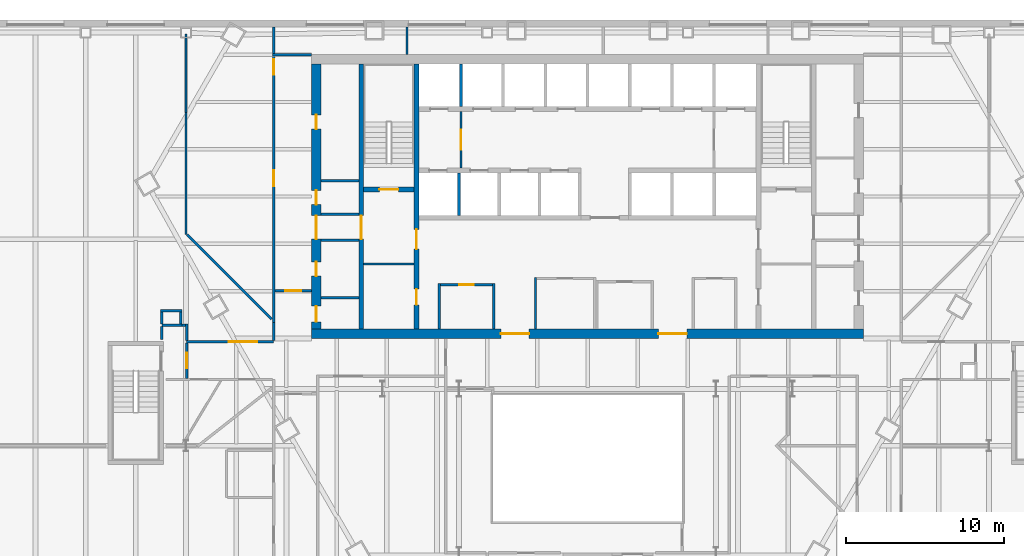
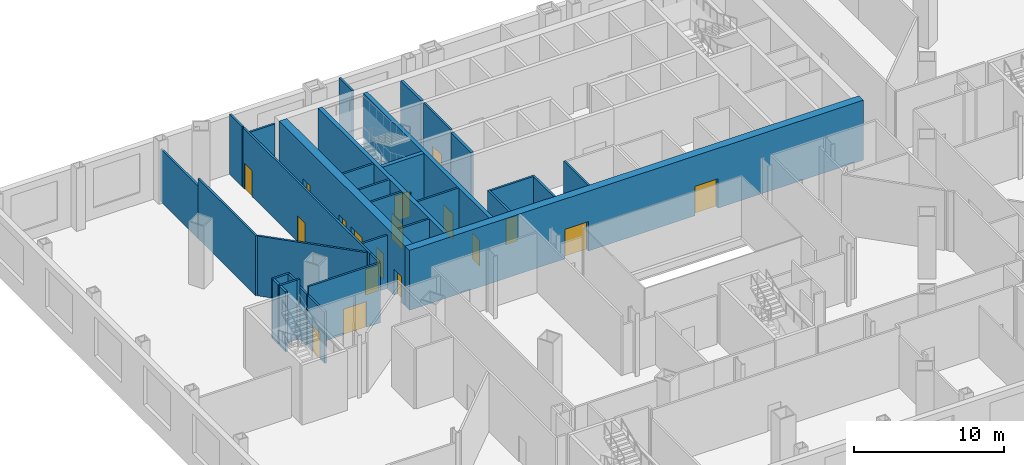
# One storey, part 12 of 21: 35 walls, 18 doors, 18 openings.
"""IFC4 building model written with IfcOpenShell, lengths in metres."""

from ifc_helpers import new_model, si_unit, direction, frame, frame_2d, origin, place, context, subcontext, project, spatial, rectangle, extrude, material, layer, layer_set, type_object, element, fill, save


model = new_model("IFC4")

# Units and contexts
model_context = context("Model", 3, precision=1e-05, world=origin(), true_north=direction((0.0, 1.0)))
body_context = subcontext(model_context, "Body", "Model", "MODEL_VIEW")
ifc_project = project(units=[si_unit("LENGTHUNIT", "METRE"), si_unit("AREAUNIT", "SQUARE_METRE"), si_unit("VOLUMEUNIT", "CUBIC_METRE"), si_unit("PLANEANGLEUNIT", "RADIAN"), si_unit("MASSUNIT", "GRAM", prefix="KILO")], contexts=[model_context])

# Site, building, storey
site_placement = place(None, origin())
site = spatial("IfcSite", under=ifc_project, at=site_placement, CompositionType="ELEMENT")
building_placement = place(site_placement, origin())
building = spatial("IfcBuilding", under=site, at=building_placement, Name="Njiva Tower", CompositionType="ELEMENT")
storey_placement = place(building_placement, frame((0.0, 0.0, 13.5)))
storey = spatial("IfcBuildingStorey", under=building, at=storey_placement, Name="L02", CompositionType="ELEMENT", Elevation=13.5)

# Walls
ifc_material_1 = material(Name="Blockwork", Category="masonry")
ifc_layer_1 = layer(ifc_material_1, 0.15)
ifc_layer_set_1 = layer_set([ifc_layer_1], Name="Blockwork")
wall_type_1 = type_object("IfcWallType", Name="WT1 Compartment partition 150", PredefinedType="PARTITIONING", material=ifc_layer_set_1)
wall_1_placement = place(storey_placement, frame((-14.2, 4.725, 0.0), z_axis=(0.0, 0.0, 1.0), x_axis=(1.0, 0.0, 0.0)))
element("IfcWall", 1, at=wall_1_placement, inside=storey, type_object=wall_type_1, Name="Room wall A", PredefinedType="PARTITIONING", context=body_context, shape_type="SweptSolid", body=[
    extrude(rectangle(XDim=3.2, YDim=0.15, at=frame_2d((1.6, 0.0))), origin(), (0.0, 0.0, 1.0), 4.88),
])
wall_2_placement = place(storey_placement, frame((-16.9, 2.5809, 0.0), z_axis=(0.0, 0.0, 1.0), x_axis=(1.0, 0.0, 0.0)))
element("IfcWall", 2, at=wall_2_placement, inside=storey, type_object=wall_type_1, Name="Partition strip W00", PredefinedType="PARTITIONING", context=body_context, shape_type="SweptSolid", body=[
    extrude(rectangle(XDim=2.4, YDim=0.15, at=frame_2d((1.2, 0.0))), origin(), (0.0, 0.0, 1.0), 4.88),
])
for number, where, z_axis, x_axis, name in (
    (3, (-9.4, 0.6, 0.0), (0.0, 0.0, 1.0), (0.0, 1.0, 0.0), "Parcel room wall west"),
    (4, (-5.95, 0.6, 0.0), (0.0, 0.0, 1.0), (0.0, 1.0, 0.0), "Parcel room wall east"),
):
    element("IfcWall", number, at=place(storey_placement, frame(where, z_axis=z_axis, x_axis=x_axis)), inside=storey, type_object=wall_type_1, Name=name, PredefinedType="PARTITIONING", context=body_context, shape_type="SweptSolid", body=[
        extrude(rectangle(XDim=2.875, YDim=0.15, at=frame_2d((1.4375, 0.0))), origin(), (0.0, 0.0, 1.0), 4.88),
    ])

# Wall, opening, door
wall_3_placement = place(storey_placement, frame((-9.325, 3.4, 0.0), z_axis=(0.0, 0.0, 1.0), x_axis=(1.0, 0.0, 0.0)))
wall_3 = element("IfcWall", 5, at=wall_3_placement, inside=storey, type_object=wall_type_1, Name="Parcel room wall north", PredefinedType="PARTITIONING", context=body_context, shape_type="SweptSolid", body=[
    extrude(rectangle(XDim=3.3, YDim=0.15, at=frame_2d((1.65, 0.0))), origin(), (0.0, 0.0, 1.0), 4.88),
])
opening_1_placement = place(wall_3_placement, frame((1.2, 0.0, 0.0)))
opening_1 = element("IfcOpeningElement", 6, at=opening_1_placement, cuts=wall_3, Name="Opening L02-D932", PredefinedType="OPENING", context=body_context, shape_type="SweptSolid", body=[
    extrude(rectangle(XDim=0.9, YDim=2.1, at=frame_2d((0.45, 1.05))), frame((0.0, 0.085, 0.0), z_axis=(0.0, -1.0, 0.0), x_axis=(1.0, 0.0, 0.0)), (0.0, 0.0, 1.0), 0.17),
])
ifc_material_2 = material(Name="Steel fire door, painted", Category="steel")
door_type_1 = type_object("IfcDoorType", Name="D6 Fire-rated door 900x2100", OperationType="SINGLE_SWING_LEFT", PredefinedType="DOOR", material=ifc_material_2)
door_1_placement = place(opening_1_placement, origin())
door_1 = element("IfcDoor", 7, at=door_1_placement, inside=storey, type_object=door_type_1, Name="Parcel room door", OperationType="SINGLE_SWING_RIGHT", OverallHeight=2.1, OverallWidth=0.9, PredefinedType="DOOR", context=body_context, shape_type="SweptSolid", body=[
    extrude(rectangle(XDim=0.9, YDim=2.1, at=frame_2d((0.45, 1.05))), frame((0.0, 0.025, 0.0), z_axis=(0.0, -1.0, 0.0), x_axis=(1.0, 0.0, 0.0)), (0.0, 0.0, 1.0), 0.05),
])
fill(opening_1, door_1)

# Wall
wall_4_placement = place(storey_placement, frame((-3.3, 0.6, 0.0), z_axis=(0.0, 0.0, 1.0), x_axis=(0.0, 1.0, 0.0)))
element("IfcWall", 8, at=wall_4_placement, inside=storey, type_object=wall_type_1, Name="Security office wall west", PredefinedType="PARTITIONING", context=body_context, shape_type="SweptSolid", body=[
    extrude(rectangle(XDim=3.275, YDim=0.15, at=frame_2d((1.6375, 0.0))), origin(), (0.0, 0.0, 1.0), 4.88),
])

# Wall, openings, doors
ifc_material_3 = material(Name="Concrete C40/50", Category="concrete")
ifc_layer_2 = layer(ifc_material_3, 0.3)
ifc_layer_set_2 = layer_set([ifc_layer_2], Name="Concrete C40/50")
wall_type_2 = type_object("IfcWallType", Name="WT10 Stair enclosure wall 300", PredefinedType="SHEAR", material=ifc_layer_set_2)
wall_5_placement = place(storey_placement, frame((-10.85, 0.6, 0.0), z_axis=(0.0, 0.0, 1.0), x_axis=(0.0, 1.0, 0.0)))
wall_5 = element("IfcWall", 9, at=wall_5_placement, inside=storey, type_object=wall_type_2, Name="Stair wall west inner", PredefinedType="SHEAR", context=body_context, shape_type="SweptSolid", body=[
    extrude(rectangle(XDim=16.8, YDim=0.3, at=frame_2d((8.4, 0.0))), origin(), (0.0, 0.0, 1.0), 4.88),
])
opening_2_placement = place(wall_5_placement, frame((5.075, 0.0, 0.0)))
opening_2 = element("IfcOpeningElement", 10, at=opening_2_placement, cuts=wall_5, Name="Opening L02-D914", PredefinedType="OPENING", context=body_context, shape_type="SweptSolid", body=[
    extrude(rectangle(XDim=1.25, YDim=2.1, at=frame_2d((0.625, 1.05))), frame((0.0, 0.16, 0.0), z_axis=(0.0, -1.0, 0.0), x_axis=(1.0, 0.0, 0.0)), (0.0, 0.0, 1.0), 0.32),
])
opening_3_placement = place(wall_5_placement, frame((1.525, 0.0, 0.0)))
opening_3 = element("IfcOpeningElement", 11, at=opening_3_placement, cuts=wall_5, Name="Opening L02-D915", PredefinedType="OPENING", context=body_context, shape_type="SweptSolid", body=[
    extrude(rectangle(XDim=1.0, YDim=2.1, at=frame_2d((0.5, 1.05))), frame((0.0, 0.16, 0.0), z_axis=(0.0, -1.0, 0.0), x_axis=(1.0, 0.0, 0.0)), (0.0, 0.0, 1.0), 0.32),
])
ifc_material_4 = material(Name="Steel door, painted", Category="steel")
door_type_2 = type_object("IfcDoorType", Name="D5 Steel door 1000x2100", OperationType="SINGLE_SWING_LEFT", PredefinedType="DOOR", material=ifc_material_4)
door_2_placement = place(opening_3_placement, origin())
door_2 = element("IfcDoor", 12, at=door_2_placement, inside=storey, type_object=door_type_2, Name="Quiet room door", OperationType="SINGLE_SWING_RIGHT", OverallHeight=2.1, OverallWidth=1.0, PredefinedType="DOOR", context=body_context, shape_type="SweptSolid", body=[
    extrude(rectangle(XDim=1.0, YDim=2.1, at=frame_2d((0.5, 1.05))), frame((0.0, 0.025, 0.0), z_axis=(0.0, -1.0, 0.0), x_axis=(1.0, 0.0, 0.0)), (0.0, 0.0, 1.0), 0.05),
])
fill(opening_3, door_2)
ifc_material_5 = material(Name="Glazed steel fire door", Category="steel")
door_type_3 = type_object("IfcDoorType", Name="D8 Vestibule corridor door 1250x2100 glazed", OperationType="SINGLE_SWING_LEFT", PredefinedType="DOOR", material=ifc_material_5)
door_3_placement = place(opening_2_placement, origin())
door_3 = element("IfcDoor", 13, at=door_3_placement, inside=storey, type_object=door_type_3, Name="Stair vestibule corridor door", OperationType="SINGLE_SWING_LEFT", OverallHeight=2.1, OverallWidth=1.25, PredefinedType="DOOR", context=body_context, shape_type="SweptSolid", body=[
    extrude(rectangle(XDim=1.25, YDim=2.1, at=frame_2d((0.625, 1.05))), frame((0.0, 0.025, 0.0), z_axis=(0.0, -1.0, 0.0), x_axis=(1.0, 0.0, 0.0)), (0.0, 0.0, 1.0), 0.05),
])
fill(opening_2, door_3)

# Wall, opening, door
wall_6_placement = place(storey_placement, frame((-14.35, 0.6, 0.0), z_axis=(0.0, 0.0, 1.0), x_axis=(0.0, 1.0, 0.0)))
wall_6 = element("IfcWall", 14, at=wall_6_placement, inside=storey, type_object=wall_type_2, Name="Stair wall west outer", PredefinedType="SHEAR", context=body_context, shape_type="SweptSolid", body=[
    extrude(rectangle(XDim=16.8, YDim=0.3, at=frame_2d((8.4, 0.0))), origin(), (0.0, 0.0, 1.0), 4.88),
])
opening_4_placement = place(wall_6_placement, frame((5.7, 0.0, 0.0)))
opening_4 = element("IfcOpeningElement", 15, at=opening_4_placement, cuts=wall_6, Name="Opening L02-D920", PredefinedType="OPENING", context=body_context, shape_type="SweptSolid", body=[
    extrude(rectangle(XDim=1.5, YDim=2.1, at=frame_2d((0.75, 1.05))), frame((0.0, 0.16, 0.0), z_axis=(0.0, -1.0, 0.0), x_axis=(1.0, 0.0, 0.0)), (0.0, 0.0, 1.0), 0.32),
])
door_type_4 = type_object("IfcDoorType", Name="D10 Exit door double 1500x2100 glazed", OperationType="DOUBLE_DOOR_SINGLE_SWING", PredefinedType="DOOR", material=ifc_material_5)
door_4_placement = place(opening_4_placement, origin())
door_4 = element("IfcDoor", 16, at=door_4_placement, inside=storey, type_object=door_type_4, Name="Stair A passage door", OperationType="DOUBLE_DOOR_SINGLE_SWING", OverallHeight=2.1, OverallWidth=1.5, PredefinedType="DOOR", context=body_context, shape_type="SweptSolid", body=[
    extrude(rectangle(XDim=1.5, YDim=2.1, at=frame_2d((0.75, 1.05))), frame((0.0, 0.025, 0.0), z_axis=(0.0, -1.0, 0.0), x_axis=(1.0, 0.0, 0.0)), (0.0, 0.0, 1.0), 0.05),
])
fill(opening_4, door_4)

wall_7_placement = place(storey_placement, frame((-14.2, 9.45, 0.0), z_axis=(0.0, 0.0, 1.0), x_axis=(1.0, 0.0, 0.0)))
wall_7 = element("IfcWall", 17, at=wall_7_placement, inside=storey, type_object=wall_type_2, Name="Stair A south wall", PredefinedType="SHEAR", context=body_context, shape_type="SweptSolid", body=[
    extrude(rectangle(XDim=3.2, YDim=0.3, at=frame_2d((1.6, 0.0))), origin(), (0.0, 0.0, 1.0), 4.88),
])
opening_5_placement = place(wall_7_placement, frame((1.0, 0.0, 0.0)))
opening_5 = element("IfcOpeningElement", 18, at=opening_5_placement, cuts=wall_7, Name="Opening L02-D913", PredefinedType="OPENING", context=body_context, shape_type="SweptSolid", body=[
    extrude(rectangle(XDim=1.2, YDim=2.1, at=frame_2d((0.6, 1.05))), frame((0.0, 0.16, 0.0), z_axis=(0.0, -1.0, 0.0), x_axis=(1.0, 0.0, 0.0)), (0.0, 0.0, 1.0), 0.32),
])
door_type_5 = type_object("IfcDoorType", Name="D7 Stair vestibule door 1200x2100 glazed", OperationType="SINGLE_SWING_LEFT", PredefinedType="DOOR", material=ifc_material_5)
door_5_placement = place(opening_5_placement, origin())
door_5 = element("IfcDoor", 19, at=door_5_placement, inside=storey, type_object=door_type_5, Name="Stair A door", OperationType="SINGLE_SWING_LEFT", OverallHeight=2.1, OverallWidth=1.2, PredefinedType="DOOR", context=body_context, shape_type="SweptSolid", body=[
    extrude(rectangle(XDim=1.2, YDim=2.1, at=frame_2d((0.6, 1.05))), frame((0.0, 0.025, 0.0), z_axis=(0.0, -1.0, 0.0), x_axis=(1.0, 0.0, 0.0)), (0.0, 0.0, 1.0), 0.05),
])
fill(opening_5, door_5)

# Wall, openings, doors
ifc_material_6 = material(Name="Concrete C60/75", Category="concrete")
ifc_layer_3 = layer(ifc_material_6, 0.6)
ifc_layer_set_3 = layer_set([ifc_layer_3], Name="Concrete C60/75")
wall_type_3 = type_object("IfcWallType", Name="WT15 Core wall 600", PredefinedType="SHEAR", material=ifc_layer_set_3)
wall_8_placement = place(storey_placement, frame((-17.5, 0.3, 0.0), z_axis=(0.0, 0.0, 1.0), x_axis=(1.0, 0.0, 0.0)))
wall_8 = element("IfcWall", 20, at=wall_8_placement, inside=storey, type_object=wall_type_3, Name="Core wall south", PredefinedType="SHEAR", context=body_context, shape_type="SweptSolid", body=[
    extrude(rectangle(XDim=35.0, YDim=0.6, at=frame_2d((17.5, 0.0))), origin(), (0.0, 0.0, 1.0), 4.88),
])
opening_6_placement = place(wall_8_placement, frame((12.0, 0.0, 0.0)))
opening_6 = element("IfcOpeningElement", 21, at=opening_6_placement, cuts=wall_8, Name="Opening L02-D937", PredefinedType="OPENING", context=body_context, shape_type="SweptSolid", body=[
    extrude(rectangle(XDim=1.8, YDim=2.4, at=frame_2d((0.9, 1.2))), frame((0.0, 0.31, 0.0), z_axis=(0.0, -1.0, 0.0), x_axis=(1.0, 0.0, 0.0)), (0.0, 0.0, 1.0), 0.62),
])
opening_7_placement = place(wall_8_placement, frame((22.0, 0.0, 0.0)))
opening_7 = element("IfcOpeningElement", 22, at=opening_7_placement, cuts=wall_8, Name="Opening L02-D938", PredefinedType="OPENING", context=body_context, shape_type="SweptSolid", body=[
    extrude(rectangle(XDim=1.8, YDim=2.4, at=frame_2d((0.9, 1.2))), frame((0.0, 0.31, 0.0), z_axis=(0.0, -1.0, 0.0), x_axis=(1.0, 0.0, 0.0)), (0.0, 0.0, 1.0), 0.62),
])
ifc_material_7 = material(Name="Steel and glass door", Category="steel")
door_type_6 = type_object("IfcDoorType", Name="D3 Core entrance door 1800x2400", OperationType="DOUBLE_DOOR_SINGLE_SWING", PredefinedType="DOOR", material=ifc_material_7)
door_6_placement = place(opening_6_placement, origin())
door_6 = element("IfcDoor", 23, at=door_6_placement, inside=storey, type_object=door_type_6, Name="Core entrance door", OperationType="DOUBLE_DOOR_SINGLE_SWING", OverallHeight=2.4, OverallWidth=1.8, PredefinedType="DOOR", context=body_context, shape_type="SweptSolid", body=[
    extrude(rectangle(XDim=1.8, YDim=2.4, at=frame_2d((0.9, 1.2))), frame((0.0, 0.025, 0.0), z_axis=(0.0, -1.0, 0.0), x_axis=(1.0, 0.0, 0.0)), (0.0, 0.0, 1.0), 0.05),
])
fill(opening_6, door_6)
door_7_placement = place(opening_7_placement, origin())
door_7 = element("IfcDoor", 24, at=door_7_placement, inside=storey, type_object=door_type_6, Name="Core entrance door", OperationType="DOUBLE_DOOR_SINGLE_SWING", OverallHeight=2.4, OverallWidth=1.8, PredefinedType="DOOR", context=body_context, shape_type="SweptSolid", body=[
    extrude(rectangle(XDim=1.8, YDim=2.4, at=frame_2d((0.9, 1.2))), frame((0.0, 0.025, 0.0), z_axis=(0.0, -1.0, 0.0), x_axis=(1.0, 0.0, 0.0)), (0.0, 0.0, 1.0), 0.05),
])
fill(opening_7, door_7)

wall_9_placement = place(storey_placement, frame((-17.2, 0.6, 0.0), z_axis=(0.0, 0.0, 1.0), x_axis=(0.0, 1.0, 0.0)))
wall_9 = element("IfcWall", 25, at=wall_9_placement, inside=storey, type_object=wall_type_3, Name="Core wall west", PredefinedType="SHEAR", context=body_context, shape_type="SweptSolid", body=[
    extrude(rectangle(XDim=16.8, YDim=0.6, at=frame_2d((8.4, 0.0))), origin(), (0.0, 0.0, 1.0), 4.88),
])
opening_8_placement = place(wall_9_placement, frame((5.7, 0.0, 0.0)))
opening_8 = element("IfcOpeningElement", 26, at=opening_8_placement, cuts=wall_9, Name="Opening L02-D921", PredefinedType="OPENING", context=body_context, shape_type="SweptSolid", body=[
    extrude(rectangle(XDim=1.5, YDim=2.1, at=frame_2d((0.75, 1.05))), frame((0.0, 0.31, 0.0), z_axis=(0.0, -1.0, 0.0), x_axis=(1.0, 0.0, 0.0)), (0.0, 0.0, 1.0), 0.62),
])
opening_9_placement = place(wall_9_placement, frame((0.4529, 0.0, 0.0)))
opening_9 = element("IfcOpeningElement", 27, at=opening_9_placement, cuts=wall_9, Name="Opening L02-D922", PredefinedType="OPENING", context=body_context, shape_type="SweptSolid", body=[
    extrude(rectangle(XDim=1.0, YDim=2.1, at=frame_2d((0.5, 1.05))), frame((0.0, 0.31, 0.0), z_axis=(0.0, -1.0, 0.0), x_axis=(1.0, 0.0, 0.0)), (0.0, 0.0, 1.0), 0.62),
])
opening_10_placement = place(wall_9_placement, frame((3.3529, 0.0, 0.0)))
opening_10 = element("IfcOpeningElement", 28, at=opening_10_placement, cuts=wall_9, Name="Opening L02-D923", PredefinedType="OPENING", context=body_context, shape_type="SweptSolid", body=[
    extrude(rectangle(XDim=0.9, YDim=2.1, at=frame_2d((0.45, 1.05))), frame((0.0, 0.31, 0.0), z_axis=(0.0, -1.0, 0.0), x_axis=(1.0, 0.0, 0.0)), (0.0, 0.0, 1.0), 0.62),
])
opening_11_placement = place(wall_9_placement, frame((7.8864, 0.0, 0.0)))
opening_11 = element("IfcOpeningElement", 29, at=opening_11_placement, cuts=wall_9, Name="Opening L02-D924", PredefinedType="OPENING", context=body_context, shape_type="SweptSolid", body=[
    extrude(rectangle(XDim=0.9, YDim=2.1, at=frame_2d((0.45, 1.05))), frame((0.0, 0.31, 0.0), z_axis=(0.0, -1.0, 0.0), x_axis=(1.0, 0.0, 0.0)), (0.0, 0.0, 1.0), 0.62),
])
opening_12_placement = place(wall_9_placement, frame((12.6864, 0.0, 0.0)))
opening_12 = element("IfcOpeningElement", 30, at=opening_12_placement, cuts=wall_9, Name="Opening L02-D925", PredefinedType="OPENING", context=body_context, shape_type="SweptSolid", body=[
    extrude(rectangle(XDim=0.9, YDim=2.1, at=frame_2d((0.45, 1.05))), frame((0.0, 0.31, 0.0), z_axis=(0.0, -1.0, 0.0), x_axis=(1.0, 0.0, 0.0)), (0.0, 0.0, 1.0), 0.62),
])
door_8_placement = place(opening_8_placement, origin())
door_8 = element("IfcDoor", 31, at=door_8_placement, inside=storey, type_object=door_type_4, Name="Stair A corridor door", OperationType="DOUBLE_DOOR_SINGLE_SWING", OverallHeight=2.1, OverallWidth=1.5, PredefinedType="DOOR", context=body_context, shape_type="SweptSolid", body=[
    extrude(rectangle(XDim=1.5, YDim=2.1, at=frame_2d((0.75, 1.05))), frame((0.0, 0.025, 0.0), z_axis=(0.0, -1.0, 0.0), x_axis=(1.0, 0.0, 0.0)), (0.0, 0.0, 1.0), 0.05),
])
fill(opening_8, door_8)
door_type_7 = type_object("IfcDoorType", Name="D4 Riser door 900x2100", OperationType="SINGLE_SWING_LEFT", PredefinedType="DOOR", material=ifc_material_4)
door_9_placement = place(opening_11_placement, origin())
door_9 = element("IfcDoor", 32, at=door_9_placement, inside=storey, type_object=door_type_7, Name="Riser door", OperationType="SINGLE_SWING_RIGHT", OverallHeight=2.1, OverallWidth=0.9, PredefinedType="DOOR", context=body_context, shape_type="SweptSolid", body=[
    extrude(rectangle(XDim=0.9, YDim=2.1, at=frame_2d((0.45, 1.05))), frame((0.0, 0.025, 0.0), z_axis=(0.0, -1.0, 0.0), x_axis=(1.0, 0.0, 0.0)), (0.0, 0.0, 1.0), 0.05),
])
fill(opening_11, door_9)
door_10_placement = place(opening_9_placement, origin())
door_10 = element("IfcDoor", 33, at=door_10_placement, inside=storey, type_object=door_type_2, Name="Electrical room door", OperationType="SINGLE_SWING_LEFT", OverallHeight=2.1, OverallWidth=1.0, PredefinedType="DOOR", context=body_context, shape_type="SweptSolid", body=[
    extrude(rectangle(XDim=1.0, YDim=2.1, at=frame_2d((0.5, 1.05))), frame((0.0, 0.025, 0.0), z_axis=(0.0, -1.0, 0.0), x_axis=(1.0, 0.0, 0.0)), (0.0, 0.0, 1.0), 0.05),
])
fill(opening_9, door_10)
door_11_placement = place(opening_10_placement, origin())
door_11 = element("IfcDoor", 34, at=door_11_placement, inside=storey, type_object=door_type_1, Name="Quiet room door", OperationType="SINGLE_SWING_LEFT", OverallHeight=2.1, OverallWidth=0.9, PredefinedType="DOOR", context=body_context, shape_type="SweptSolid", body=[
    extrude(rectangle(XDim=0.9, YDim=2.1, at=frame_2d((0.45, 1.05))), frame((0.0, 0.025, 0.0), z_axis=(0.0, -1.0, 0.0), x_axis=(1.0, 0.0, 0.0)), (0.0, 0.0, 1.0), 0.05),
])
fill(opening_10, door_11)
door_12_placement = place(opening_12_placement, origin())
door_12 = element("IfcDoor", 35, at=door_12_placement, inside=storey, type_object=door_type_1, Name="Business centre door", OperationType="SINGLE_SWING_RIGHT", OverallHeight=2.1, OverallWidth=0.9, PredefinedType="DOOR", context=body_context, shape_type="SweptSolid", body=[
    extrude(rectangle(XDim=0.9, YDim=2.1, at=frame_2d((0.45, 1.05))), frame((0.0, 0.025, 0.0), z_axis=(0.0, -1.0, 0.0), x_axis=(1.0, 0.0, 0.0)), (0.0, 0.0, 1.0), 0.05),
])
fill(opening_12, door_12)

# Wall, opening, door
ifc_layer_4 = layer(ifc_material_1, 0.15)
ifc_layer_set_4 = layer_set([ifc_layer_4], Name="Blockwork")
wall_type_4 = type_object("IfcWallType", Name="WT2 Lobby partition 150", PredefinedType="PARTITIONING", material=ifc_layer_set_4)
wall_10_placement = place(storey_placement, frame((-8.025, 10.8, 0.0), z_axis=(0.0, 0.0, 1.0), x_axis=(0.0, 1.0, 0.0)))
wall_10 = element("IfcWall", 36, at=wall_10_placement, inside=storey, type_object=wall_type_4, Name="Firefighting lobby wall A", PredefinedType="PARTITIONING", context=body_context, shape_type="SweptSolid", body=[
    extrude(rectangle(XDim=3.6, YDim=0.15, at=frame_2d((1.8, 0.0))), origin(), (0.0, 0.0, 1.0), 4.88),
])
opening_13_placement = place(wall_10_placement, frame((1.175, 0.0, 0.0)))
opening_13 = element("IfcOpeningElement", 37, at=opening_13_placement, cuts=wall_10, Name="Opening L02-D912", PredefinedType="OPENING", context=body_context, shape_type="SweptSolid", body=[
    extrude(rectangle(XDim=1.25, YDim=2.1, at=frame_2d((0.625, 1.05))), frame((0.0, 0.085, 0.0), z_axis=(0.0, -1.0, 0.0), x_axis=(1.0, 0.0, 0.0)), (0.0, 0.0, 1.0), 0.17),
])
door_13_placement = place(opening_13_placement, origin())
door_13 = element("IfcDoor", 38, at=door_13_placement, inside=storey, type_object=door_type_3, Name="Stair vestibule corridor door", OperationType="SINGLE_SWING_RIGHT", OverallHeight=2.1, OverallWidth=1.25, PredefinedType="DOOR", context=body_context, shape_type="SweptSolid", body=[
    extrude(rectangle(XDim=1.25, YDim=2.1, at=frame_2d((0.625, 1.05))), frame((0.0, 0.025, 0.0), z_axis=(0.0, -1.0, 0.0), x_axis=(1.0, 0.0, 0.0)), (0.0, 0.0, 1.0), 0.05),
])
fill(opening_13, door_13)

# Walls
ifc_material_8 = material(Name="Gypsum board on steel studs", Category="gypsum")
ifc_layer_5 = layer(ifc_material_8, 0.15)
ifc_layer_set_5 = layer_set([ifc_layer_5], Name="Gypsum board on steel studs")
wall_type_5 = type_object("IfcWallType", Name="WT21 Compartment wall 150", PredefinedType="PARTITIONING", material=ifc_layer_set_5)
wall_11_placement = place(storey_placement, frame((-27.005, -0.05, 0.0), z_axis=(0.0, 0.0, 1.0), x_axis=(0.0, 1.0, 0.0)))
element("IfcWall", 39, at=wall_11_placement, inside=storey, type_object=wall_type_5, Name="Partition L02-P004", PredefinedType="PARTITIONING", context=body_context, shape_type="SweptSolid", body=[
    extrude(rectangle(XDim=0.825, YDim=0.15, at=frame_2d((0.4125, 0.0))), origin(), (0.0, 0.0, 1.0), 4.88),
])
wall_12_placement = place(storey_placement, frame((-25.73, 0.85, 0.0), z_axis=(0.0, 0.0, 1.0), x_axis=(1.0, 0.0, 0.0)))
element("IfcWall", 40, at=wall_12_placement, inside=storey, type_object=wall_type_5, Name="Partition L02-P010", PredefinedType="PARTITIONING", context=body_context, shape_type="SweptSolid", body=[
    extrude(rectangle(XDim=0.23, YDim=0.15, at=frame_2d((0.115, 0.0))), origin(), (0.0, 0.0, 1.0), 4.88),
])
wall_13_placement = place(storey_placement, frame((-25.467, 6.592, 0.0), z_axis=(0.0, 0.0, 1.0), x_axis=(0.0, 1.0, 0.0)))
element("IfcWall", 41, at=wall_13_placement, inside=storey, type_object=wall_type_5, Name="Partition L02-P012", PredefinedType="PARTITIONING", context=body_context, shape_type="SweptSolid", body=[
    extrude(rectangle(XDim=7.736, YDim=0.15, at=frame_2d((3.868, 0.0))), origin(), (0.0, 0.0, 1.0), 4.88),
])
wall_14_placement = place(storey_placement, frame((-25.467, 14.328, 0.0), z_axis=(0.0, 0.0, 1.0), x_axis=(0.0, 1.0, 0.0)))
element("IfcWall", 42, at=wall_14_placement, inside=storey, type_object=wall_type_5, Name="Partition L02-P012A", PredefinedType="PARTITIONING", context=body_context, shape_type="SweptSolid", body=[
    extrude(rectangle(XDim=4.972, YDim=0.15, at=frame_2d((2.486, 0.0))), origin(), (0.0, 0.0, 1.0), 4.28),
])

# Wall, opening, door
wall_15_placement = place(storey_placement, frame((-25.425, -2.525, 0.0), z_axis=(0.0, 0.0, 1.0), x_axis=(0.0, 1.0, 0.0)))
wall_15 = element("IfcWall", 43, at=wall_15_placement, inside=storey, type_object=wall_type_5, Name="Partition L02-P013", PredefinedType="PARTITIONING", context=body_context, shape_type="SweptSolid", body=[
    extrude(rectangle(XDim=2.25, YDim=0.15, at=frame_2d((1.125, 0.0))), origin(), (0.0, 0.0, 1.0), 4.19),
])
opening_14_placement = place(wall_15_placement, frame((0.625, 0.0, 0.0)))
opening_14 = element("IfcOpeningElement", 44, at=opening_14_placement, cuts=wall_15, Name="Opening L02-D003", PredefinedType="OPENING", context=body_context, shape_type="SweptSolid", body=[
    extrude(rectangle(XDim=1.0, YDim=2.1, at=frame_2d((0.5, 1.05))), frame((0.0, 0.085, 0.0), z_axis=(0.0, -1.0, 0.0), x_axis=(1.0, 0.0, 0.0)), (0.0, 0.0, 1.0), 0.17),
])
door_type_8 = type_object("IfcDoorType", Name="D41 Glazed fire door 1000x2100", OperationType="SINGLE_SWING_LEFT", PredefinedType="DOOR", material=ifc_material_5)
door_14_placement = place(opening_14_placement, origin())
door_14 = element("IfcDoor", 45, at=door_14_placement, inside=storey, type_object=door_type_8, Name="Door L02-D003", OperationType="SINGLE_SWING_RIGHT", OverallHeight=2.1, OverallWidth=1.0, PredefinedType="DOOR", context=body_context, shape_type="SweptSolid", body=[
    extrude(rectangle(XDim=1.0, YDim=2.1, at=frame_2d((0.5, 1.05))), frame((0.0, 0.025, 0.0), z_axis=(0.0, -1.0, 0.0), x_axis=(1.0, 0.0, 0.0)), (0.0, 0.0, 1.0), 0.05),
])
fill(opening_14, door_14)

wall_16_placement = place(storey_placement, frame((-25.425, -0.2, 0.0), z_axis=(0.0, 0.0, 1.0), x_axis=(1.0, 0.0, 0.0)))
wall_16 = element("IfcWall", 46, at=wall_16_placement, inside=storey, type_object=wall_type_5, Name="Partition L02-P014", PredefinedType="PARTITIONING", context=body_context, shape_type="SweptSolid", body=[
    extrude(rectangle(XDim=5.522, YDim=0.15, at=frame_2d((2.761, 0.0))), origin(), (0.0, 0.0, 1.0), 4.88),
])
opening_15_placement = place(wall_16_placement, frame((2.666, 0.0, 0.0)))
opening_15 = element("IfcOpeningElement", 47, at=opening_15_placement, cuts=wall_16, Name="Opening L02-D004", PredefinedType="OPENING", context=body_context, shape_type="SweptSolid", body=[
    extrude(rectangle(XDim=1.8, YDim=2.1, at=frame_2d((0.9, 1.05))), frame((0.0, 0.085, 0.0), z_axis=(0.0, -1.0, 0.0), x_axis=(1.0, 0.0, 0.0)), (0.0, 0.0, 1.0), 0.17),
])
ifc_material_9 = material(Name="Steel fire door set", Category="steel")
door_type_9 = type_object("IfcDoorType", Name="D38 Fire door 1800x2100", OperationType="DOUBLE_DOOR_SINGLE_SWING", PredefinedType="DOOR", material=ifc_material_9)
door_15_placement = place(opening_15_placement, origin())
door_15 = element("IfcDoor", 48, at=door_15_placement, inside=storey, type_object=door_type_9, Name="Door L02-D004", OperationType="DOUBLE_DOOR_SINGLE_SWING", OverallHeight=2.1, OverallWidth=1.8, PredefinedType="DOOR", context=body_context, shape_type="SweptSolid", body=[
    extrude(rectangle(XDim=1.8, YDim=2.1, at=frame_2d((0.9, 1.05))), frame((0.0, 0.025, 0.0), z_axis=(0.0, -1.0, 0.0), x_axis=(1.0, 0.0, 0.0)), (0.0, 0.0, 1.0), 0.05),
])
fill(opening_15, door_15)

# Walls
wall_17_placement = place(storey_placement, frame((-25.425, -0.125, 0.0), z_axis=(0.0, 0.0, 1.0), x_axis=(0.0, 1.0, 0.0)))
element("IfcWall", 49, at=wall_17_placement, inside=storey, type_object=wall_type_5, Name="Partition L02-P015", PredefinedType="PARTITIONING", context=body_context, shape_type="SweptSolid", body=[
    extrude(rectangle(XDim=1.05, YDim=0.15, at=frame_2d((0.525, 0.0))), origin(), (0.0, 0.0, 1.0), 4.19),
])
wall_18_placement = place(storey_placement, frame((-25.392, 6.592, 0.0), z_axis=(0.0, 0.0, 1.0), x_axis=(0.707106781187, -0.707106781187, 0.0)))
element("IfcWall", 50, at=wall_18_placement, inside=storey, type_object=wall_type_5, Name="Partition L02-P016", PredefinedType="PARTITIONING", context=body_context, shape_type="SweptSolid", body=[
    extrude(rectangle(XDim=7.5858, YDim=0.15, at=frame_2d((3.7929, 0.0))), origin(), (0.0, 0.0, 1.0), 4.88),
])
wall_19_placement = place(storey_placement, frame((-19.9, -0.125, 0.0), z_axis=(0.0, 0.0, 1.0), x_axis=(0.0, 1.0, 0.0)))
element("IfcWall", 51, at=wall_19_placement, inside=storey, type_object=wall_type_5, Name="Partition L02-P024", PredefinedType="PARTITIONING", context=body_context, shape_type="SweptSolid", body=[
    extrude(rectangle(XDim=1.15, YDim=0.15, at=frame_2d((0.575, 0.0))), origin(), (0.0, 0.0, 1.0), 4.88),
])

# Wall, openings, doors
wall_20_placement = place(storey_placement, frame((-19.9, 1.025, 0.0), z_axis=(0.0, 0.0, 1.0), x_axis=(0.0, 1.0, 0.0)))
wall_20 = element("IfcWall", 52, at=wall_20_placement, inside=storey, type_object=wall_type_5, Name="Partition L02-P025", PredefinedType="PARTITIONING", context=body_context, shape_type="SweptSolid", body=[
    extrude(rectangle(XDim=16.9, YDim=0.15, at=frame_2d((8.45, 0.0))), origin(), (0.0, 0.0, 1.0), 4.88),
])
opening_16_placement = place(wall_20_placement, frame((8.644, 0.0, 0.0)))
opening_16 = element("IfcOpeningElement", 53, at=opening_16_placement, cuts=wall_20, Name="Opening L02-D008", PredefinedType="OPENING", context=body_context, shape_type="SweptSolid", body=[
    extrude(rectangle(XDim=1.0, YDim=2.1, at=frame_2d((0.5, 1.05))), frame((0.0, 0.085, 0.0), z_axis=(0.0, -1.0, 0.0), x_axis=(1.0, 0.0, 0.0)), (0.0, 0.0, 1.0), 0.17),
])
opening_17_placement = place(wall_20_placement, frame((15.7, 0.0, 0.0)))
opening_17 = element("IfcOpeningElement", 54, at=opening_17_placement, cuts=wall_20, Name="Opening L02-D009", PredefinedType="OPENING", context=body_context, shape_type="SweptSolid", body=[
    extrude(rectangle(XDim=1.0, YDim=2.1, at=frame_2d((0.5, 1.05))), frame((0.0, 0.085, 0.0), z_axis=(0.0, -1.0, 0.0), x_axis=(1.0, 0.0, 0.0)), (0.0, 0.0, 1.0), 0.17),
])
door_type_10 = type_object("IfcDoorType", Name="D37 Fire door 1000x2100", OperationType="SINGLE_SWING_LEFT", PredefinedType="DOOR", material=ifc_material_9)
door_16_placement = place(opening_16_placement, origin())
door_16 = element("IfcDoor", 55, at=door_16_placement, inside=storey, type_object=door_type_10, Name="Door L02-D008", OperationType="SINGLE_SWING_LEFT", OverallHeight=2.1, OverallWidth=1.0, PredefinedType="DOOR", context=body_context, shape_type="SweptSolid", body=[
    extrude(rectangle(XDim=1.0, YDim=2.1, at=frame_2d((0.5, 1.05))), frame((0.0, 0.025, 0.0), z_axis=(0.0, -1.0, 0.0), x_axis=(1.0, 0.0, 0.0)), (0.0, 0.0, 1.0), 0.05),
])
fill(opening_16, door_16)
door_17_placement = place(opening_17_placement, origin())
door_17 = element("IfcDoor", 56, at=door_17_placement, inside=storey, type_object=door_type_10, Name="Door L02-D009", OperationType="SINGLE_SWING_LEFT", OverallHeight=2.1, OverallWidth=1.0, PredefinedType="DOOR", context=body_context, shape_type="SweptSolid", body=[
    extrude(rectangle(XDim=1.0, YDim=2.1, at=frame_2d((0.5, 1.05))), frame((0.0, 0.025, 0.0), z_axis=(0.0, -1.0, 0.0), x_axis=(1.0, 0.0, 0.0)), (0.0, 0.0, 1.0), 0.05),
])
fill(opening_17, door_17)

# Wall, opening, door
wall_21_placement = place(storey_placement, frame((-19.825, 3.025, 0.0), z_axis=(0.0, 0.0, 1.0), x_axis=(1.0, 0.0, 0.0)))
wall_21 = element("IfcWall", 57, at=wall_21_placement, inside=storey, type_object=wall_type_5, Name="Partition L02-P029", PredefinedType="PARTITIONING", context=body_context, shape_type="SweptSolid", body=[
    extrude(rectangle(XDim=2.325, YDim=0.15, at=frame_2d((1.1625, 0.0))), origin(), (0.0, 0.0, 1.0), 4.33),
])
opening_18_placement = place(wall_21_placement, frame((0.662, 0.0, 0.0)))
opening_18 = element("IfcOpeningElement", 58, at=opening_18_placement, cuts=wall_21, Name="Opening L02-D011", PredefinedType="OPENING", context=body_context, shape_type="SweptSolid", body=[
    extrude(rectangle(XDim=1.0, YDim=2.1, at=frame_2d((0.5, 1.05))), frame((0.0, 0.085, 0.0), z_axis=(0.0, -1.0, 0.0), x_axis=(1.0, 0.0, 0.0)), (0.0, 0.0, 1.0), 0.17),
])
door_18_placement = place(opening_18_placement, origin())
door_18 = element("IfcDoor", 59, at=door_18_placement, inside=storey, type_object=door_type_10, Name="Door L02-D011", OperationType="SINGLE_SWING_LEFT", OverallHeight=2.1, OverallWidth=1.0, PredefinedType="DOOR", context=body_context, shape_type="SweptSolid", body=[
    extrude(rectangle(XDim=1.0, YDim=2.1, at=frame_2d((0.5, 1.05))), frame((0.0, 0.025, 0.0), z_axis=(0.0, -1.0, 0.0), x_axis=(1.0, 0.0, 0.0)), (0.0, 0.0, 1.0), 0.05),
])
fill(opening_18, door_18)

# Walls
ifc_layer_6 = layer(ifc_material_8, 0.15)
ifc_layer_set_6 = layer_set([ifc_layer_6], Name="Gypsum board on steel studs")
wall_type_6 = type_object("IfcWallType", Name="WT24 Riser room wall 150", PredefinedType="PARTITIONING", material=ifc_layer_set_6)
wall_22_placement = place(storey_placement, frame((-27.08, 1.75, 0.0), z_axis=(0.0, 0.0, 1.0), x_axis=(1.0, 0.0, 0.0)))
element("IfcWall", 60, at=wall_22_placement, inside=storey, type_object=wall_type_6, Name="Partition L02-P003", PredefinedType="PARTITIONING", context=body_context, shape_type="SweptSolid", body=[
    extrude(rectangle(XDim=1.35, YDim=0.15, at=frame_2d((0.675, 0.0))), origin(), (0.0, 0.0, 1.0), 4.88),
])
wall_23_placement = place(storey_placement, frame((-27.005, 0.85, 0.0), z_axis=(0.0, 0.0, 1.0), x_axis=(1.0, 0.0, 0.0)))
element("IfcWall", 61, at=wall_23_placement, inside=storey, type_object=wall_type_6, Name="Partition L02-P005", PredefinedType="PARTITIONING", context=body_context, shape_type="SweptSolid", body=[
    extrude(rectangle(XDim=1.275, YDim=0.15, at=frame_2d((0.6375, 0.0))), origin(), (0.0, 0.0, 1.0), 4.88),
])
for number, where, z_axis, x_axis, name in (
    (62, (-27.005, 0.925, 0.0), (0.0, 0.0, 1.0), (0.0, 1.0, 0.0), "Partition L02-P006"),
    (63, (-25.805, 0.925, 0.0), (0.0, 0.0, 1.0), (0.0, 1.0, 0.0), "Partition L02-P009"),
):
    element("IfcWall", number, at=place(storey_placement, frame(where, z_axis=z_axis, x_axis=x_axis)), inside=storey, type_object=wall_type_6, Name=name, PredefinedType="PARTITIONING", context=body_context, shape_type="SweptSolid", body=[
        extrude(rectangle(XDim=0.75, YDim=0.15, at=frame_2d((0.375, 0.0))), origin(), (0.0, 0.0, 1.0), 4.88),
    ])
wall_24_placement = place(storey_placement, frame((-19.975, 18.0, 0.0), z_axis=(0.0, 0.0, 1.0), x_axis=(1.0, 0.0, 0.0)))
element("IfcWall", 64, at=wall_24_placement, inside=storey, type_object=wall_type_6, Name="Partition L02-P022", PredefinedType="PARTITIONING", context=body_context, shape_type="SweptSolid", body=[
    extrude(rectangle(XDim=2.475, YDim=0.15, at=frame_2d((1.2375, 0.0))), origin(), (0.0, 0.0, 1.0), 4.33),
])
wall_25_placement = place(storey_placement, frame((-19.9, 18.075, 0.0), z_axis=(0.0, 0.0, 1.0), x_axis=(0.0, 1.0, 0.0)))
element("IfcWall", 65, at=wall_25_placement, inside=storey, type_object=wall_type_6, Name="Partition L02-P026", PredefinedType="PARTITIONING", context=body_context, shape_type="SweptSolid", body=[
    extrude(rectangle(XDim=1.675, YDim=0.15, at=frame_2d((0.8375, 0.0))), origin(), (0.0, 0.0, 1.0), 4.88),
])
wall_26_placement = place(storey_placement, frame((-11.45, 18.0, 0.0), z_axis=(0.0, 0.0, 1.0), x_axis=(0.0, 1.0, 0.0)))
element("IfcWall", 66, at=wall_26_placement, inside=storey, type_object=wall_type_6, Name="Partition L02-P046", PredefinedType="PARTITIONING", context=body_context, shape_type="SweptSolid", body=[
    extrude(rectangle(XDim=1.75, YDim=0.15, at=frame_2d((0.875, 0.0))), origin(), (0.0, 0.0, 1.0), 4.88),
])
ifc_layer_7 = layer(ifc_material_1, 0.15)
ifc_layer_set_7 = layer_set([ifc_layer_7], Name="Blockwork")
wall_type_7 = type_object("IfcWallType", Name="WT3 Riser partition 150", PredefinedType="PARTITIONING", material=ifc_layer_set_7)
wall_27_placement = place(storey_placement, frame((-16.9, 9.9977, 0.0), z_axis=(0.0, 0.0, 1.0), x_axis=(1.0, 0.0, 0.0)))
element("IfcWall", 67, at=wall_27_placement, inside=storey, type_object=wall_type_7, Name="Partition strip W10", PredefinedType="PARTITIONING", context=body_context, shape_type="SweptSolid", body=[
    extrude(rectangle(XDim=2.4, YDim=0.15, at=frame_2d((1.2, 0.0))), origin(), (0.0, 0.0, 1.0), 4.88),
])
ifc_layer_8 = layer(ifc_material_1, 0.15)
ifc_layer_set_8 = layer_set([ifc_layer_8], Name="Blockwork")
wall_type_8 = type_object("IfcWallType", Name="WT4 Stair partition 150", PredefinedType="PARTITIONING", material=ifc_layer_set_8)
for number, where, z_axis, x_axis, name in (
    (68, (-16.9, 6.225, 0.0), (0.0, 0.0, 1.0), (1.0, 0.0, 0.0), "Stair A exit passage wall south"),
    (69, (-16.9, 7.875, 0.0), (0.0, 0.0, 1.0), (1.0, 0.0, 0.0), "Stair A exit passage wall north"),
):
    element("IfcWall", number, at=place(storey_placement, frame(where, z_axis=z_axis, x_axis=x_axis)), inside=storey, type_object=wall_type_8, Name=name, PredefinedType="PARTITIONING", context=body_context, shape_type="SweptSolid", body=[
        extrude(rectangle(XDim=2.4, YDim=0.15, at=frame_2d((1.2, 0.0))), origin(), (0.0, 0.0, 1.0), 4.88),
    ])
ifc_layer_9 = layer(ifc_material_3, 0.2)
ifc_layer_set_9 = layer_set([ifc_layer_9], Name="Concrete C40/50")
wall_type_9 = type_object("IfcWallType", Name="WT6 Lift shaft wall 200", PredefinedType="SHEAR", material=ifc_layer_set_9)
for number, where, z_axis, x_axis, name in (
    (70, (-8.025, 14.7, 0.0), (0.0, 0.0, 1.0), (0.0, 1.0, 0.0), "Shaft wall CN1"),
    (71, (-8.15, 7.8, 0.0), (0.0, 0.0, 1.0), (0.0, 1.0, 0.0), "Shaft wall CS1"),
):
    element("IfcWall", number, at=place(storey_placement, frame(where, z_axis=z_axis, x_axis=x_axis)), inside=storey, type_object=wall_type_9, Name=name, PredefinedType="SHEAR", context=body_context, shape_type="SweptSolid", body=[
        extrude(rectangle(XDim=2.7, YDim=0.2, at=frame_2d((1.35, 0.0))), origin(), (0.0, 0.0, 1.0), 4.88),
    ])

save(model, "model.ifc")
